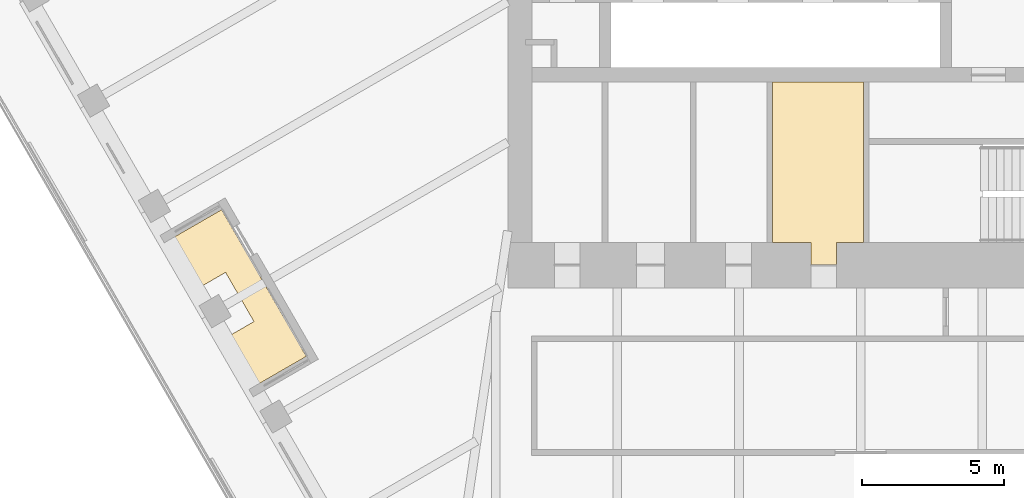
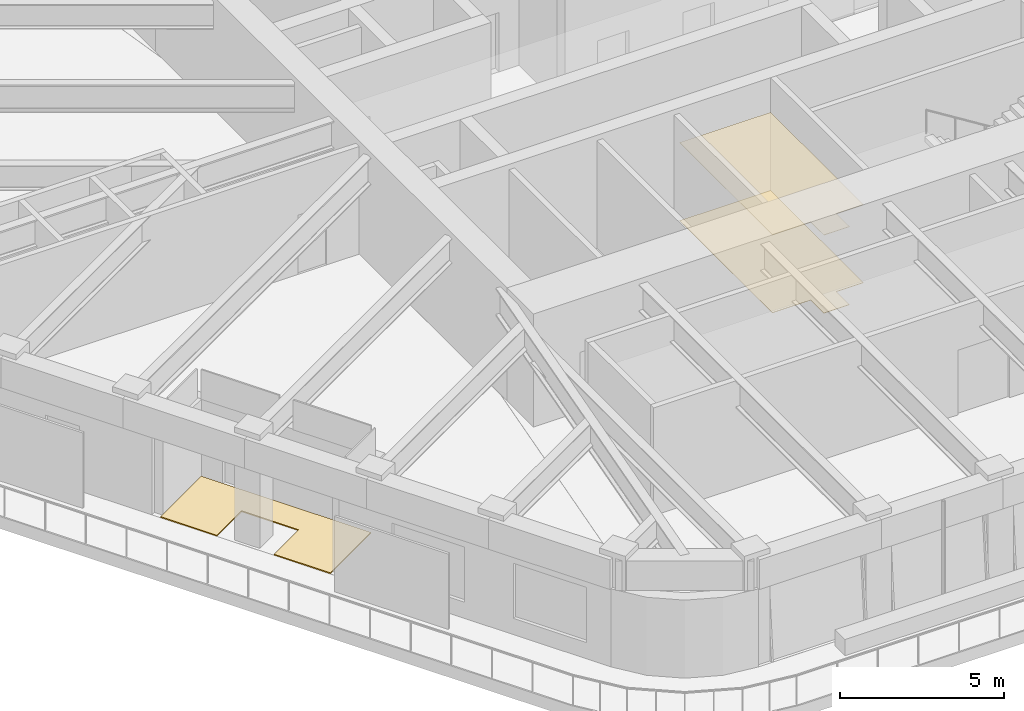
# One storey, part 17 of 19: 3 coverings.
"""IFC4 building model written with IfcOpenShell, lengths in metres."""

import ifcopenshell
import ifcopenshell.guid

model = None  # the IFC model being written
_history = None  # IfcOwnerHistory: only IFC2X3 demands one
_inside = {}  # id of a spatial element -> (the spatial element, [elements in it])
_under = {}  # id of a project, library or spatial element -> (it, [spatial elements below it])
_declared = {}  # id of a project -> (the project, [libraries it declares])
_typed = {}  # id of a type object -> (the type object, [elements of that type])
_made_of = {}  # id of a material, layer set ... -> (it, [elements and type objects made of it])


def new_model(schema):
    """Start an empty IFC model of exactly this schema.

    Asked for "IFC4X3", IfcOpenShell would pick the latest addendum, in which some entities
    have other attributes; the version numbers below select the first issue.
    IFC2X3 requires an IfcOwnerHistory on every rooted entity: one is made here for all.
    """
    global model, _history
    if schema == "IFC4X3":
        model = ifcopenshell.file(schema_version=(4, 3, 0, 0))
    else:
        model = ifcopenshell.file(schema=schema)
    _inside.clear()
    _under.clear()
    _declared.clear()
    _typed.clear()
    _made_of.clear()
    _history = None
    if model.schema == "IFC2X3":
        org = make("IfcOrganization", Name="unknown")
        user = make(
            "IfcPersonAndOrganization",
            ThePerson=make("IfcPerson", FamilyName="unknown"),
            TheOrganization=org,
        )
        app = make(
            "IfcApplication",
            ApplicationDeveloper=org,
            Version="unknown",
            ApplicationFullName="unknown",
            ApplicationIdentifier="unknown",
        )
        _history = make(
            "IfcOwnerHistory",
            OwningUser=user,
            OwningApplication=app,
            ChangeAction="ADDED",
            CreationDate=0,
        )
    return model


def make(cls, **values):
    """One entity of the class cls with the attributes given. An attribute that is None is left unset."""
    return model.create_entity(
        cls, **{name: value for name, value in values.items() if value is not None}
    )


def rooted(cls, **values):
    """An entity with a GlobalId (a new one), such as an element, a storey or a relation."""
    return make(cls, GlobalId=ifcopenshell.guid.new(), OwnerHistory=_history, **values)


def si_unit(unit_type, name, prefix=None):
    """IfcSIUnit, for example si_unit("LENGTHUNIT", "METRE", prefix="MILLI")."""
    return make("IfcSIUnit", UnitType=unit_type, Prefix=prefix, Name=name)


def assignment(units):
    """IfcUnitAssignment: the units of a project."""
    return None if units is None else make("IfcUnitAssignment", Units=units)


def point(xyz):
    """IfcCartesianPoint."""
    return None if xyz is None else make("IfcCartesianPoint", Coordinates=xyz)


def direction(xyz):
    """IfcDirection."""
    return None if xyz is None else make("IfcDirection", DirectionRatios=xyz)


def frame(location, z_axis=None, x_axis=None):
    """IfcAxis2Placement3D, a coordinate frame: its origin and axes. An axis left out is left unset."""
    return make(
        "IfcAxis2Placement3D",
        Location=point(location),
        Axis=direction(z_axis),
        RefDirection=direction(x_axis),
    )


def origin():
    """The frame at (0, 0, 0) with its axes left unset."""
    return frame((0.0, 0.0, 0.0))


def place(relative_to, where):
    """IfcLocalPlacement: puts the frame where relative to a parent placement (None: the world)."""
    return make(
        "IfcLocalPlacement", PlacementRelTo=relative_to, RelativePlacement=where
    )


def context(
    kind, dimensions, precision=None, world=None, true_north=None, identifier=None
):
    """IfcGeometricRepresentationContext, for example the 3D "Model" context."""
    return make(
        "IfcGeometricRepresentationContext",
        ContextIdentifier=identifier,
        ContextType=kind,
        CoordinateSpaceDimension=dimensions,
        Precision=precision,
        WorldCoordinateSystem=world,
        TrueNorth=true_north,
    )


def subcontext(parent, identifier, kind, view, scale=None):
    """IfcGeometricRepresentationSubContext, for example "Body" below "Model"."""
    return make(
        "IfcGeometricRepresentationSubContext",
        ContextIdentifier=identifier,
        ContextType=kind,
        ParentContext=parent,
        TargetScale=scale,
        TargetView=view,
    )


def project(units=None, contexts=None):
    """IfcProject with its units and contexts."""
    return rooted(
        "IfcProject",
        Name="project",
        RepresentationContexts=contexts,
        UnitsInContext=assignment(units),
    )


def spatial(cls, under=None, at=None, **own):
    """A site, building, storey or space (cls), placed at a placement, below another one or the project."""
    s = rooted(cls, ObjectPlacement=at, **own)
    if under is not None:
        _under.setdefault(under.id(), (under, []))[1].append(s)
    return s


def polyline(points):
    """IfcPolyline through the points."""
    return make("IfcPolyline", Points=[point(p) for p in points])


def outline(outer, holes=None, kind="AREA"):
    """IfcArbitraryClosedProfileDef: a profile drawn as a closed curve; with holes, ...WithVoids."""
    if holes is None:
        return make("IfcArbitraryClosedProfileDef", ProfileType=kind, OuterCurve=outer)
    return make(
        "IfcArbitraryProfileDefWithVoids",
        ProfileType=kind,
        OuterCurve=outer,
        InnerCurves=holes,
    )


def extrude(swept, where, along, depth):
    """IfcExtrudedAreaSolid: the profile swept, set in the frame where, extruded along a direction by depth."""
    return make(
        "IfcExtrudedAreaSolid",
        SweptArea=swept,
        Position=where,
        ExtrudedDirection=direction(along),
        Depth=depth,
    )


def shape(context_of_items, identifier, shape_type, items):
    """IfcShapeRepresentation: the items that make up one representation, for example the "Body"."""
    return make(
        "IfcShapeRepresentation",
        ContextOfItems=context_of_items,
        RepresentationIdentifier=identifier,
        RepresentationType=shape_type,
        Items=items,
    )


def material(Name=None, Category=None):
    """IfcMaterial."""
    return make("IfcMaterial", Name=Name, Category=Category)


def layer(
    of_material, thickness, ventilated=None, Name=None, Category=None, Priority=None
):
    """IfcMaterialLayer: one layer of a wall or slab, of a material (None: an air gap)."""
    return make(
        "IfcMaterialLayer",
        Material=of_material,
        LayerThickness=thickness,
        IsVentilated=ventilated,
        Name=Name,
        Category=Category,
        Priority=Priority,
    )


def layer_set(layers, Name=None):
    """IfcMaterialLayerSet."""
    return make("IfcMaterialLayerSet", MaterialLayers=layers, LayerSetName=Name)


def made_of(thing, what):
    """Note that an element or type object is made of a material, layer set ...; save() writes the relation."""
    if what is not None:
        _made_of.setdefault(what.id(), (what, []))[1].append(thing)
    return thing


def type_object(cls, material=None, **own):
    """A type object (cls), such as IfcWallType, which elements share."""
    return made_of(rooted(cls, **own), material)


def element(
    cls,
    number,
    at=None,
    inside=None,
    cuts=None,
    type_object=None,
    material=None,
    context=None,
    identifier="Body",
    shape_type=None,
    held_by="IfcProductDefinitionShape",
    body=None,
    shapes=None,
    **own,
):
    """One element of the class cls, such as IfcWall. Its Tag is "e" and its number.

    at: its placement. inside: the storey or other place that contains it. cuts: it is an
    opening in that element (IfcRelVoidsElement). A single representation is given by context,
    identifier, shape_type and body (its items); several are given by shapes. held_by: the class
    of the entity that holds the representations. save() writes the other relations.
    """
    e = rooted(cls, Tag="e%d" % number, ObjectPlacement=at, **own)
    if body is not None:
        shapes = [shape(context, identifier, shape_type, body)]
    if shapes is not None:
        e.Representation = make(held_by, Representations=shapes)
    if inside is not None:
        _inside.setdefault(inside.id(), (inside, []))[1].append(e)
    if cuts is not None:
        rooted(
            "IfcRelVoidsElement", RelatingBuildingElement=cuts, RelatedOpeningElement=e
        )
    if type_object is not None:
        _typed.setdefault(type_object.id(), (type_object, []))[1].append(e)
    return made_of(e, material)


def aggregate(whole, parts):
    """IfcRelAggregates: a whole, such as a stair, and the parts it consists of."""
    return rooted("IfcRelAggregates", RelatingObject=whole, RelatedObjects=parts)


def save(model, path):
    """Write the relations noted so far, then the file.

    IfcRelAggregates (storeys below a building ...), IfcRelContainedInSpatialStructure (elements
    in a storey), IfcRelDefinesByType, IfcRelAssociatesMaterial and IfcRelDeclares: one each for
    every whole, place, type object, material and project.
    """
    for whole, parts in _under.values():
        aggregate(whole, parts)
    for where, things in _inside.values():
        rooted(
            "IfcRelContainedInSpatialStructure",
            RelatedElements=things,
            RelatingStructure=where,
        )
    for kind, things in _typed.values():
        rooted("IfcRelDefinesByType", RelatedObjects=things, RelatingType=kind)
    for what, things in _made_of.values():
        rooted("IfcRelAssociatesMaterial", RelatedObjects=things, RelatingMaterial=what)
    for by, libraries in _declared.values():
        rooted("IfcRelDeclares", RelatingContext=by, RelatedDefinitions=libraries)
    model.write(path)


model = new_model("IFC4")

# Units and contexts
model_context = context("Model", 3, precision=1e-05, world=origin(), true_north=direction((0.0, 1.0)))
body_context = subcontext(model_context, "Body", "Model", "MODEL_VIEW")
ifc_project = project(units=[si_unit("LENGTHUNIT", "METRE"), si_unit("AREAUNIT", "SQUARE_METRE"), si_unit("VOLUMEUNIT", "CUBIC_METRE"), si_unit("PLANEANGLEUNIT", "RADIAN"), si_unit("MASSUNIT", "GRAM", prefix="KILO")], contexts=[model_context])

# Site, building, storey
site_placement = place(None, origin())
site = spatial("IfcSite", under=ifc_project, at=site_placement, CompositionType="ELEMENT")
building_placement = place(site_placement, origin())
building = spatial("IfcBuilding", under=site, at=building_placement, Name="Tarfa Lantern Tower", CompositionType="ELEMENT")
storey_placement = place(building_placement, frame((0.0, 0.0, 357.699951171875)))
storey = spatial("IfcBuildingStorey", under=building, at=storey_placement, Name="L81", CompositionType="ELEMENT", Elevation=357.699951171875)

# Coverings
ifc_material_1 = material(Name="Moisture-resistant plasterboard", Category="finish")
ifc_layer_1 = layer(ifc_material_1, 0.014892578125)
ifc_layer_set_1 = layer_set([ifc_layer_1], Name="CL2 MOISTURE-RESISTANT PLASTERBOARD CEILING 15")
covering_type_1 = type_object("IfcCoveringType", Name="CL2 MOISTURE-RESISTANT PLASTERBOARD CEILING 15", PredefinedType="CEILING", material=ifc_layer_set_1)
covering_1_placement = place(storey_placement, frame((0.0, 0.0, 2.900146484375)))
element("IfcCovering", 1, at=covering_1_placement, inside=storey, type_object=covering_type_1, Name="Ceiling L81-13", PredefinedType="CEILING", context=body_context, shape_type="SweptSolid", body=[
    extrude(outline(polyline([(-0.85009765625, -10.699951171875), (0.10009765625, -10.699951171875), (0.10009765625, -5.050048828125), (-3.10009765625, -5.050048828125), (-3.10009765625, -10.699951171875), (-1.75, -10.699951171875), (-1.75, -11.5), (-0.85009765625, -11.5), (-0.85009765625, -10.699951171875)])), origin(), (0.0, 0.0, 1.0), 0.014892578125),
])
ifc_material_2 = material(Name="Porcelain floor tile", Category="finish")
ifc_layer_2 = layer(ifc_material_2, 0.011962890625)
ifc_layer_set_2 = layer_set([ifc_layer_2], Name="FL3 CERAMIC TILE 12")
covering_type_2 = type_object("IfcCoveringType", Name="FL3 CERAMIC TILE 12", PredefinedType="FLOORING", material=ifc_layer_set_2)
covering_2_placement = place(storey_placement, origin())
element("IfcCovering", 2, at=covering_2_placement, inside=storey, type_object=covering_type_2, Name="Floor finish L81-13", PredefinedType="FLOORING", context=body_context, shape_type="SweptSolid", body=[
    extrude(outline(polyline([(-0.85009765625, -10.699951171875), (0.10009765625, -10.699951171875), (0.10009765625, -5.050048828125), (-3.10009765625, -5.050048828125), (-3.10009765625, -10.699951171875), (-1.75, -10.699951171875), (-1.75, -11.5), (-0.85009765625, -11.5), (-0.85009765625, -10.699951171875)])), origin(), (0.0, 0.0, 1.0), 0.011962890625),
])
ifc_material_3 = material(Name="Porcelain pavers on pedestals", Category="ceramic")
ifc_layer_3 = layer(ifc_material_3, 0.0400390625)
ifc_layer_set_3 = layer_set([ifc_layer_3], Name="LP1 LOGGIA PAVING 40")
covering_type_3 = type_object("IfcCoveringType", Name="LP1 LOGGIA PAVING 40", PredefinedType="FLOORING", material=ifc_layer_set_3)
covering_3_placement = place(storey_placement, origin())
element("IfcCovering", 3, at=covering_3_placement, inside=storey, type_object=covering_type_3, Name="Terrace paving SW", PredefinedType="FLOORING", context=body_context, shape_type="SweptSolid", body=[
    extrude(outline(polyline([(-24.6572265625, -10.79248046875), (-22.509521484375, -9.552490234375), (-19.52734375, -14.717529296875), (-21.67529296875, -15.95751953125), (-22.666259765625, -14.240966796875), (-21.3671875, -13.490966796875), (-22.3671875, -11.759033203125), (-23.666259765625, -12.509033203125), (-24.6572265625, -10.79248046875)])), origin(), (0.0, 0.0, 1.0), 0.0400390625),
])

save(model, "model.ifc")
